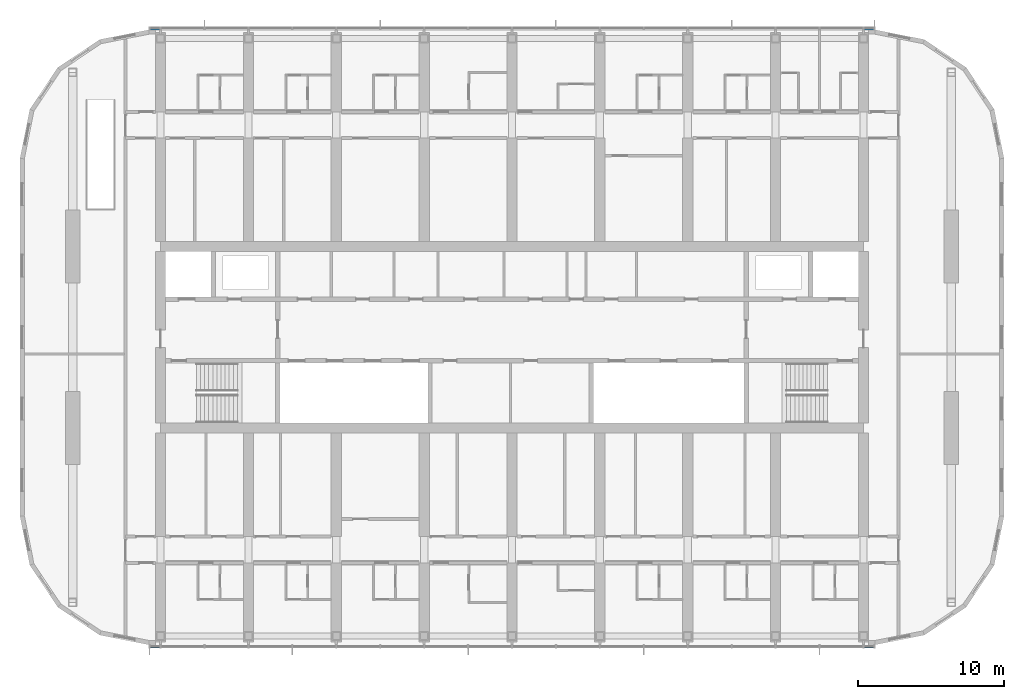
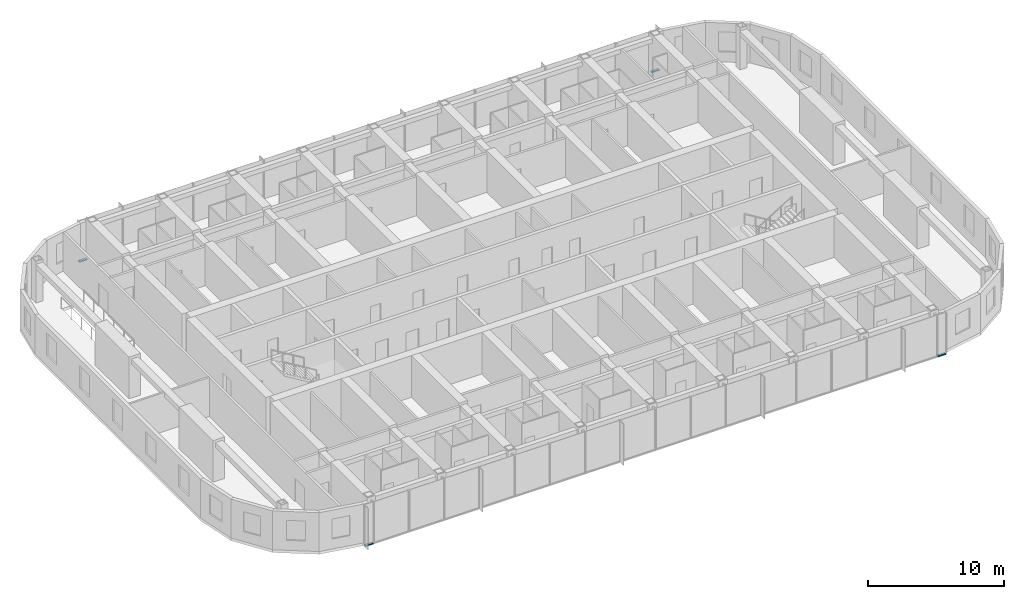
# One storey, part 6 of 23: 4 members, 2 elements without a shape of their own.
"""IFC4 building model written with IfcOpenShell, lengths in metres."""

from ifc_helpers import new_model, si_unit, direction, frame, origin, origin_2d, place, context, subcontext, project, spatial, rectangle, extrude, material, material_profile, profile_set, type_object, element, aggregate, save


model = new_model("IFC4")

# Units and contexts
model_context = context("Model", 3, precision=1e-05, world=origin(), true_north=direction((0.0, 1.0)))
body_context = subcontext(model_context, "Body", "Model", "MODEL_VIEW")
ifc_project = project(units=[si_unit("LENGTHUNIT", "METRE"), si_unit("AREAUNIT", "SQUARE_METRE"), si_unit("VOLUMEUNIT", "CUBIC_METRE"), si_unit("PLANEANGLEUNIT", "RADIAN"), si_unit("MASSUNIT", "GRAM", prefix="KILO")], contexts=[model_context])

# Site, building, storey
site_placement = place(None, origin())
site = spatial("IfcSite", under=ifc_project, at=site_placement, CompositionType="ELEMENT")
building_placement = place(site_placement, origin())
building = spatial("IfcBuilding", under=site, at=building_placement, Name="Orbita Commons", CompositionType="ELEMENT")
storey_placement = place(building_placement, frame((0.0, 0.0, 250.300048828125)))
storey = spatial("IfcBuildingStorey", under=building, at=storey_placement, Name="L62", CompositionType="ELEMENT", Elevation=250.300048828125)

# Curtain wall, members
ifc_material_1 = material(Name="Anodised aluminium frame, pale silver", Category="aluminium")
curtain_wall_type = type_object("IfcCurtainWallType", Name="Unitised curtain wall CW-U, full-height vision", PredefinedType="NOTDEFINED", material=ifc_material_1)
curtain_wall_1_placement = place(storey_placement, origin())
curtain_wall_1 = element("IfcCurtainWall", 1, at=curtain_wall_1_placement, inside=storey, type_object=curtain_wall_type, Name="Curtain wall south L62", PredefinedType="NOTDEFINED")
ifc_material_2 = material(Name="Anodised aluminium, pale silver", Category="aluminium")
ifc_material_profile = material_profile(ifc_material_2, rectangle(XDim=0.219970703125, YDim=0.10009765625, at=origin_2d()), Name="AL 220x100")
ifc_profile_set = profile_set([ifc_material_profile], Name="Anodised aluminium, pale silver")
member_type = type_object("IfcMemberType", Name="Curtain wall stack transom 220x100", PredefinedType="USERDEFINED", material=ifc_profile_set)
member_1_placement = place(storey_placement, frame((17.280029296875, 10.889892578125, -0.199951171875), z_axis=(1.0, 0.0, 0.0), x_axis=(0.0, 1.0, 0.0)))
member_1 = element("IfcMember", 2, at=member_1_placement, type_object=member_type, Name="Transom 1.1 CW-L62-S", ObjectType="TRANSOM", PredefinedType="USERDEFINED", context=body_context, shape_type="SweptSolid", body=[
    extrude(rectangle(XDim=0.219970703125, YDim=0.10009765625, at=origin_2d()), origin(), (0.0, 0.0, 1.0), 0.679931640625),
])
member_2_placement = place(storey_placement, frame((66.0400390625, 10.889892578125, -0.199951171875), z_axis=(1.0, 0.0, 0.0), x_axis=(0.0, 1.0, 0.0)))
member_2 = element("IfcMember", 3, at=member_2_placement, type_object=member_type, Name="Transom 18.1 CW-L62-S", ObjectType="TRANSOM", PredefinedType="USERDEFINED", context=body_context, shape_type="SweptSolid", body=[
    extrude(rectangle(XDim=0.219970703125, YDim=0.10009765625, at=origin_2d()), origin(), (0.0, 0.0, 1.0), 0.679931640625),
])
aggregate(curtain_wall_1, [member_1, member_2])

curtain_wall_2_placement = place(storey_placement, origin())
curtain_wall_2 = element("IfcCurtainWall", 4, at=curtain_wall_2_placement, inside=storey, type_object=curtain_wall_type, Name="Curtain wall north L62", PredefinedType="NOTDEFINED")
member_3_placement = place(storey_placement, frame((66.719970703125, 53.110107421875, -0.199951171875), z_axis=(-1.0, 0.0, 0.0), x_axis=(0.0, -1.0, 0.0)))
member_3 = element("IfcMember", 5, at=member_3_placement, type_object=member_type, Name="Transom 1.1 CW-L62-N", ObjectType="TRANSOM", PredefinedType="USERDEFINED", context=body_context, shape_type="SweptSolid", body=[
    extrude(rectangle(XDim=0.219970703125, YDim=0.10009765625, at=origin_2d()), origin(), (0.0, 0.0, 1.0), 0.679931640625),
])
member_4_placement = place(storey_placement, frame((17.9599609375, 53.110107421875, -0.199951171875), z_axis=(-1.0, 0.0, 0.0), x_axis=(0.0, -1.0, 0.0)))
member_4 = element("IfcMember", 6, at=member_4_placement, type_object=member_type, Name="Transom 18.1 CW-L62-N", ObjectType="TRANSOM", PredefinedType="USERDEFINED", context=body_context, shape_type="SweptSolid", body=[
    extrude(rectangle(XDim=0.219970703125, YDim=0.10009765625, at=origin_2d()), origin(), (0.0, 0.0, 1.0), 0.679931640625),
])
aggregate(curtain_wall_2, [member_3, member_4])

save(model, "model.ifc")
